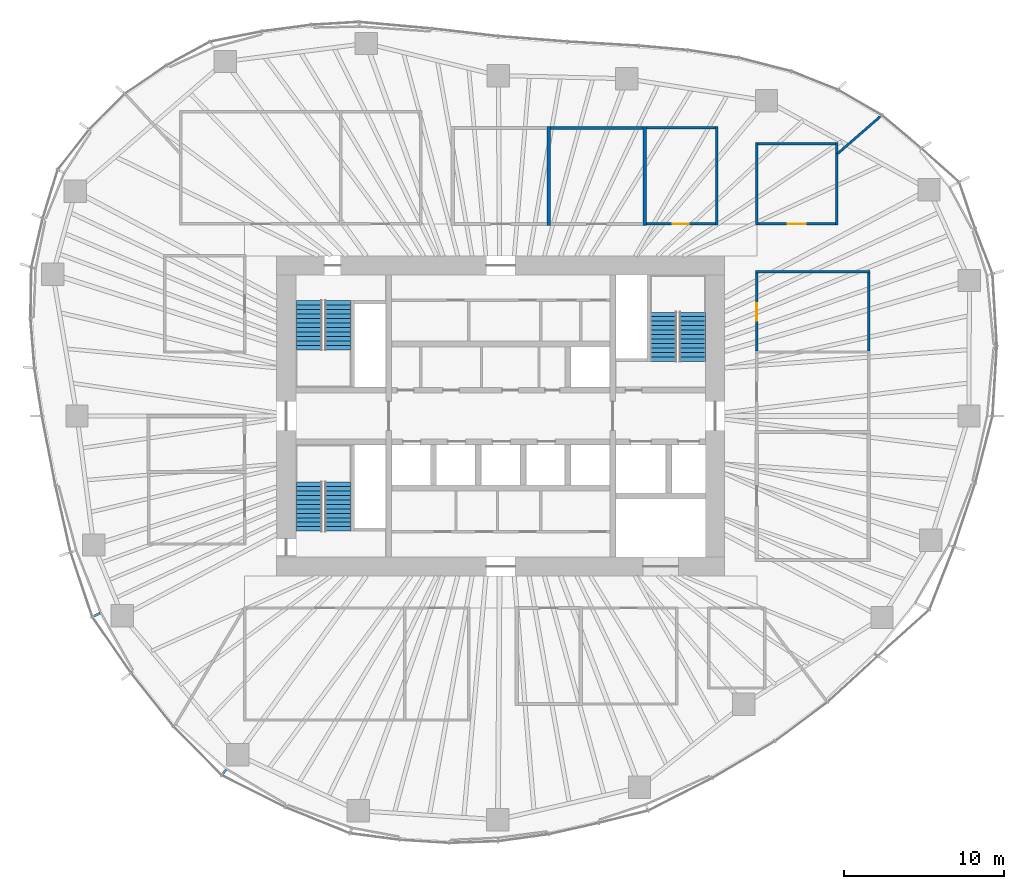
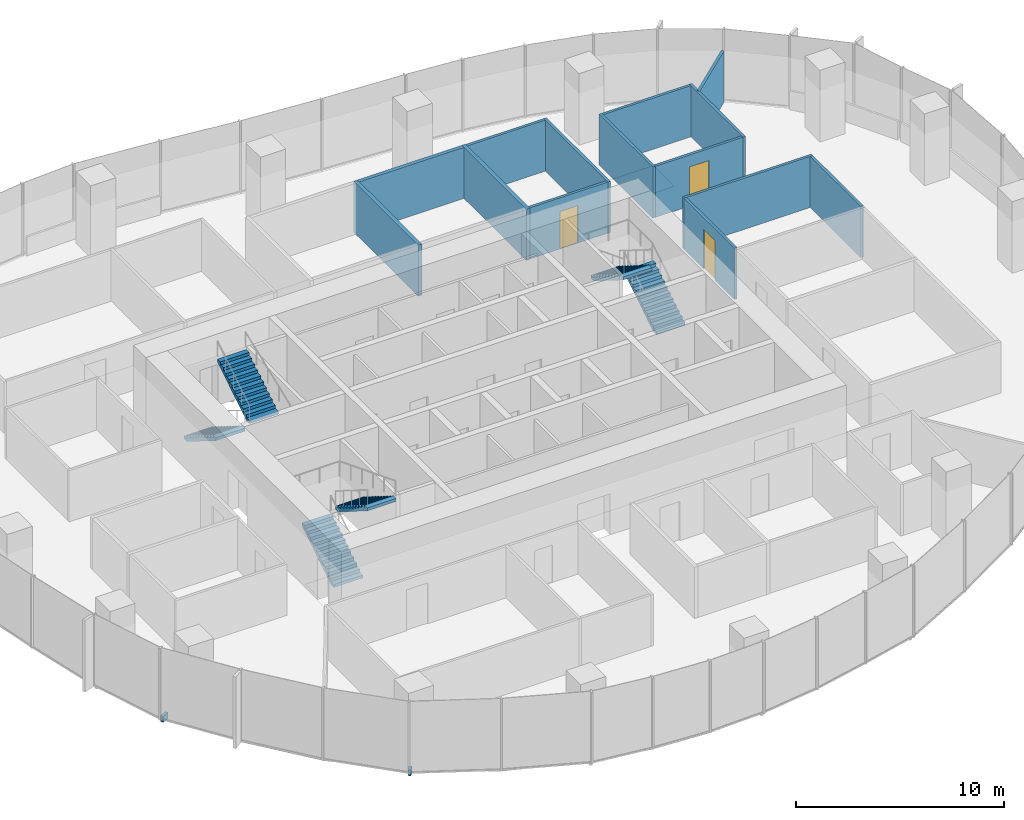
# One storey, part 11 of 18: 14 walls, 6 stair flights, 3 doors, 2 discrete accessories, 3 openings, 3 elements without a shape of their own.
"""IFC4 building model written with IfcOpenShell, lengths in metres."""

import ifcopenshell
import ifcopenshell.guid

model = None  # the IFC model being written
_history = None  # IfcOwnerHistory: only IFC2X3 demands one
_inside = {}  # id of a spatial element -> (the spatial element, [elements in it])
_under = {}  # id of a project, library or spatial element -> (it, [spatial elements below it])
_declared = {}  # id of a project -> (the project, [libraries it declares])
_typed = {}  # id of a type object -> (the type object, [elements of that type])
_made_of = {}  # id of a material, layer set ... -> (it, [elements and type objects made of it])


def new_model(schema):
    """Start an empty IFC model of exactly this schema.

    Asked for "IFC4X3", IfcOpenShell would pick the latest addendum, in which some entities
    have other attributes; the version numbers below select the first issue.
    IFC2X3 requires an IfcOwnerHistory on every rooted entity: one is made here for all.
    """
    global model, _history
    if schema == "IFC4X3":
        model = ifcopenshell.file(schema_version=(4, 3, 0, 0))
    else:
        model = ifcopenshell.file(schema=schema)
    _inside.clear()
    _under.clear()
    _declared.clear()
    _typed.clear()
    _made_of.clear()
    _history = None
    if model.schema == "IFC2X3":
        org = make("IfcOrganization", Name="unknown")
        user = make(
            "IfcPersonAndOrganization",
            ThePerson=make("IfcPerson", FamilyName="unknown"),
            TheOrganization=org,
        )
        app = make(
            "IfcApplication",
            ApplicationDeveloper=org,
            Version="unknown",
            ApplicationFullName="unknown",
            ApplicationIdentifier="unknown",
        )
        _history = make(
            "IfcOwnerHistory",
            OwningUser=user,
            OwningApplication=app,
            ChangeAction="ADDED",
            CreationDate=0,
        )
    return model


def make(cls, **values):
    """One entity of the class cls with the attributes given. An attribute that is None is left unset."""
    return model.create_entity(
        cls, **{name: value for name, value in values.items() if value is not None}
    )


def rooted(cls, **values):
    """An entity with a GlobalId (a new one), such as an element, a storey or a relation."""
    return make(cls, GlobalId=ifcopenshell.guid.new(), OwnerHistory=_history, **values)


def si_unit(unit_type, name, prefix=None):
    """IfcSIUnit, for example si_unit("LENGTHUNIT", "METRE", prefix="MILLI")."""
    return make("IfcSIUnit", UnitType=unit_type, Prefix=prefix, Name=name)


def assignment(units):
    """IfcUnitAssignment: the units of a project."""
    return None if units is None else make("IfcUnitAssignment", Units=units)


def point(xyz):
    """IfcCartesianPoint."""
    return None if xyz is None else make("IfcCartesianPoint", Coordinates=xyz)


def direction(xyz):
    """IfcDirection."""
    return None if xyz is None else make("IfcDirection", DirectionRatios=xyz)


def frame(location, z_axis=None, x_axis=None):
    """IfcAxis2Placement3D, a coordinate frame: its origin and axes. An axis left out is left unset."""
    return make(
        "IfcAxis2Placement3D",
        Location=point(location),
        Axis=direction(z_axis),
        RefDirection=direction(x_axis),
    )


def frame_2d(location, x_axis=None):
    """IfcAxis2Placement2D, a coordinate frame in the plane: its origin and x axis."""
    return make(
        "IfcAxis2Placement2D", Location=point(location), RefDirection=direction(x_axis)
    )


def origin():
    """The frame at (0, 0, 0) with its axes left unset."""
    return frame((0.0, 0.0, 0.0))


def origin_2d():
    """The frame at (0, 0) in the plane with its x axis left unset."""
    return frame_2d((0.0, 0.0))


def place(relative_to, where):
    """IfcLocalPlacement: puts the frame where relative to a parent placement (None: the world)."""
    return make(
        "IfcLocalPlacement", PlacementRelTo=relative_to, RelativePlacement=where
    )


def context(
    kind, dimensions, precision=None, world=None, true_north=None, identifier=None
):
    """IfcGeometricRepresentationContext, for example the 3D "Model" context."""
    return make(
        "IfcGeometricRepresentationContext",
        ContextIdentifier=identifier,
        ContextType=kind,
        CoordinateSpaceDimension=dimensions,
        Precision=precision,
        WorldCoordinateSystem=world,
        TrueNorth=true_north,
    )


def subcontext(parent, identifier, kind, view, scale=None):
    """IfcGeometricRepresentationSubContext, for example "Body" below "Model"."""
    return make(
        "IfcGeometricRepresentationSubContext",
        ContextIdentifier=identifier,
        ContextType=kind,
        ParentContext=parent,
        TargetScale=scale,
        TargetView=view,
    )


def project(units=None, contexts=None):
    """IfcProject with its units and contexts."""
    return rooted(
        "IfcProject",
        Name="project",
        RepresentationContexts=contexts,
        UnitsInContext=assignment(units),
    )


def spatial(cls, under=None, at=None, **own):
    """A site, building, storey or space (cls), placed at a placement, below another one or the project."""
    s = rooted(cls, ObjectPlacement=at, **own)
    if under is not None:
        _under.setdefault(under.id(), (under, []))[1].append(s)
    return s


def polyline(points):
    """IfcPolyline through the points."""
    return make("IfcPolyline", Points=[point(p) for p in points])


def profile(cls, at=None, kind="AREA", **sizes):
    """A parametric profile (cls). Its sizes go by their IFC names, for example OverallWidth=200.0."""
    return make(cls, ProfileType=kind, Position=at, **sizes)


def rectangle(**sizes):
    """IfcRectangleProfileDef."""
    return profile("IfcRectangleProfileDef", **sizes)


def outline(outer, holes=None, kind="AREA"):
    """IfcArbitraryClosedProfileDef: a profile drawn as a closed curve; with holes, ...WithVoids."""
    if holes is None:
        return make("IfcArbitraryClosedProfileDef", ProfileType=kind, OuterCurve=outer)
    return make(
        "IfcArbitraryProfileDefWithVoids",
        ProfileType=kind,
        OuterCurve=outer,
        InnerCurves=holes,
    )


def extrude(swept, where, along, depth):
    """IfcExtrudedAreaSolid: the profile swept, set in the frame where, extruded along a direction by depth."""
    return make(
        "IfcExtrudedAreaSolid",
        SweptArea=swept,
        Position=where,
        ExtrudedDirection=direction(along),
        Depth=depth,
    )


def shape(context_of_items, identifier, shape_type, items):
    """IfcShapeRepresentation: the items that make up one representation, for example the "Body"."""
    return make(
        "IfcShapeRepresentation",
        ContextOfItems=context_of_items,
        RepresentationIdentifier=identifier,
        RepresentationType=shape_type,
        Items=items,
    )


def material(Name=None, Category=None):
    """IfcMaterial."""
    return make("IfcMaterial", Name=Name, Category=Category)


def layer(
    of_material, thickness, ventilated=None, Name=None, Category=None, Priority=None
):
    """IfcMaterialLayer: one layer of a wall or slab, of a material (None: an air gap)."""
    return make(
        "IfcMaterialLayer",
        Material=of_material,
        LayerThickness=thickness,
        IsVentilated=ventilated,
        Name=Name,
        Category=Category,
        Priority=Priority,
    )


def layer_set(layers, Name=None):
    """IfcMaterialLayerSet."""
    return make("IfcMaterialLayerSet", MaterialLayers=layers, LayerSetName=Name)


def made_of(thing, what):
    """Note that an element or type object is made of a material, layer set ...; save() writes the relation."""
    if what is not None:
        _made_of.setdefault(what.id(), (what, []))[1].append(thing)
    return thing


def type_object(cls, material=None, **own):
    """A type object (cls), such as IfcWallType, which elements share."""
    return made_of(rooted(cls, **own), material)


def element(
    cls,
    number,
    at=None,
    inside=None,
    cuts=None,
    type_object=None,
    material=None,
    context=None,
    identifier="Body",
    shape_type=None,
    held_by="IfcProductDefinitionShape",
    body=None,
    shapes=None,
    **own,
):
    """One element of the class cls, such as IfcWall. Its Tag is "e" and its number.

    at: its placement. inside: the storey or other place that contains it. cuts: it is an
    opening in that element (IfcRelVoidsElement). A single representation is given by context,
    identifier, shape_type and body (its items); several are given by shapes. held_by: the class
    of the entity that holds the representations. save() writes the other relations.
    """
    e = rooted(cls, Tag="e%d" % number, ObjectPlacement=at, **own)
    if body is not None:
        shapes = [shape(context, identifier, shape_type, body)]
    if shapes is not None:
        e.Representation = make(held_by, Representations=shapes)
    if inside is not None:
        _inside.setdefault(inside.id(), (inside, []))[1].append(e)
    if cuts is not None:
        rooted(
            "IfcRelVoidsElement", RelatingBuildingElement=cuts, RelatedOpeningElement=e
        )
    if type_object is not None:
        _typed.setdefault(type_object.id(), (type_object, []))[1].append(e)
    return made_of(e, material)


def fill(opening, filler):
    """IfcRelFillsElement: the door or window that sits in an opening."""
    return rooted(
        "IfcRelFillsElement",
        RelatingOpeningElement=opening,
        RelatedBuildingElement=filler,
    )


def aggregate(whole, parts):
    """IfcRelAggregates: a whole, such as a stair, and the parts it consists of."""
    return rooted("IfcRelAggregates", RelatingObject=whole, RelatedObjects=parts)


def save(model, path):
    """Write the relations noted so far, then the file.

    IfcRelAggregates (storeys below a building ...), IfcRelContainedInSpatialStructure (elements
    in a storey), IfcRelDefinesByType, IfcRelAssociatesMaterial and IfcRelDeclares: one each for
    every whole, place, type object, material and project.
    """
    for whole, parts in _under.values():
        aggregate(whole, parts)
    for where, things in _inside.values():
        rooted(
            "IfcRelContainedInSpatialStructure",
            RelatedElements=things,
            RelatingStructure=where,
        )
    for kind, things in _typed.values():
        rooted("IfcRelDefinesByType", RelatedObjects=things, RelatingType=kind)
    for what, things in _made_of.values():
        rooted("IfcRelAssociatesMaterial", RelatedObjects=things, RelatingMaterial=what)
    for by, libraries in _declared.values():
        rooted("IfcRelDeclares", RelatingContext=by, RelatedDefinitions=libraries)
    model.write(path)


model = new_model("IFC4")

# Units and contexts
model_context = context("Model", 3, precision=1e-05, world=origin(), true_north=direction((0.0, 1.0)))
body_context = subcontext(model_context, "Body", "Model", "MODEL_VIEW")
ifc_project = project(units=[si_unit("LENGTHUNIT", "METRE"), si_unit("AREAUNIT", "SQUARE_METRE"), si_unit("VOLUMEUNIT", "CUBIC_METRE"), si_unit("PLANEANGLEUNIT", "RADIAN"), si_unit("MASSUNIT", "GRAM", prefix="KILO")], contexts=[model_context])

# Site, building, storey
site_placement = place(None, origin())
site = spatial("IfcSite", under=ifc_project, at=site_placement, CompositionType="ELEMENT")
building_placement = place(site_placement, origin())
building = spatial("IfcBuilding", under=site, at=building_placement, Name="Ghaith Harvest Tower", CompositionType="ELEMENT")
storey_placement = place(building_placement, frame((0.0, 0.0, 155.39990234375)))
storey = spatial("IfcBuildingStorey", under=building, at=storey_placement, Name="L33", CompositionType="ELEMENT", Elevation=155.39990234375)

# Walls
ifc_material_1 = material(Name="Twin-stud gypsum board, acoustic", Category="gypsum")
ifc_layer_1 = layer(ifc_material_1, 0.199951171875)
ifc_layer_set_1 = layer_set([ifc_layer_1], Name="ACOUSTIC PARTITION 200")
wall_type_1 = type_object("IfcWallType", Name="ACOUSTIC PARTITION 200", PredefinedType="PARTITIONING", material=ifc_layer_set_1)
for number, where, z_axis, x_axis, name in (
    (1, (3.0, 11.89990234375, 0.0), (0.0, 0.0, 1.0), (0.0, 1.0, 0.0), "Partition L33 row N4 cross wall 2"),
    (2, (9.0, 11.89990234375, 0.0), (0.0, 0.0, 1.0), (0.0, 1.0, 0.0), "Partition L33 row N4 cross wall 3"),
):
    element("IfcWall", number, at=place(storey_placement, frame(where, z_axis=z_axis, x_axis=x_axis)), inside=storey, type_object=wall_type_1, Name=name, PredefinedType="PARTITIONING", context=body_context, shape_type="SweptSolid", body=[
        extrude(rectangle(XDim=6.2001953125, YDim=0.199951171875, at=frame_2d((3.10009765625, 0.0))), origin(), (0.0, 0.0, 1.0), 3.0),
    ])
wall_1_placement = place(storey_placement, frame((3.10009765625, 18.0, 0.0), z_axis=(0.0, 0.0, 1.0), x_axis=(1.0, 0.0, 0.0)))
element("IfcWall", 3, at=wall_1_placement, inside=storey, type_object=wall_type_1, Name="Partition L33-08", PredefinedType="PARTITIONING", context=body_context, shape_type="SweptSolid", body=[
    extrude(rectangle(XDim=5.7998046875, YDim=0.199951171875, at=frame_2d((2.89990234375, 0.0))), origin(), (0.0, 0.0, 1.0), 3.0),
])
ifc_material_2 = material(Name="Gypsum board on steel studs", Category="steel")
ifc_layer_2 = layer(ifc_material_2, 0.14990234375)
ifc_layer_set_2 = layer_set([ifc_layer_2], Name="PARTITION 150")
wall_type_2 = type_object("IfcWallType", Name="PARTITION 150", PredefinedType="PARTITIONING", material=ifc_layer_set_2)
wall_2_placement = place(storey_placement, frame((13.5, 11.925048828125, 0.0), z_axis=(0.0, 0.0, 1.0), x_axis=(0.0, 1.0, 0.0)))
element("IfcWall", 4, at=wall_2_placement, inside=storey, type_object=wall_type_2, Name="Partition L33 row N4 cross wall 4", PredefinedType="PARTITIONING", context=body_context, shape_type="SweptSolid", body=[
    extrude(rectangle(XDim=6.14990234375, YDim=0.14990234375, at=frame_2d((3.074951171875, 0.0))), origin(), (0.0, 0.0, 1.0), 3.0),
])

# Wall, opening, door
wall_3_placement = place(storey_placement, frame((9.10009765625, 12.0, 0.0), z_axis=(0.0, 0.0, 1.0), x_axis=(1.0, 0.0, 0.0)))
wall_3 = element("IfcWall", 5, at=wall_3_placement, inside=storey, type_object=wall_type_2, Name="Partition L33-09", PredefinedType="PARTITIONING", context=body_context, shape_type="SweptSolid", body=[
    extrude(rectangle(XDim=4.324951171875, YDim=0.14990234375, at=frame_2d((2.16259765625, 0.0))), origin(), (0.0, 0.0, 1.0), 3.0),
])
opening_1_placement = place(wall_3_placement, frame((1.66259765625, 0.0, 0.0)))
opening_1 = element("IfcOpeningElement", 6, at=opening_1_placement, cuts=wall_3, Name="Opening 33-037", PredefinedType="OPENING", context=body_context, shape_type="SweptSolid", body=[
    extrude(rectangle(XDim=1.0, YDim=2.199951171875, at=frame_2d((0.5, 1.10009765625))), frame((0.0, 0.0849609375, 0.0), z_axis=(0.0, -1.0, 0.0), x_axis=(1.0, 0.0, 0.0)), (0.0, 0.0, 1.0), 0.169921875),
])
ifc_material_3 = material(Name="Timber door", Category="wood")
door_type_1 = type_object("IfcDoorType", Name="D1 SINGLE 1000x2200", OperationType="SINGLE_SWING_LEFT", PredefinedType="DOOR", material=ifc_material_3)
door_1_placement = place(opening_1_placement, origin())
door_1 = element("IfcDoor", 7, at=door_1_placement, inside=storey, type_object=door_type_1, Name="Pantry door", OperationType="SINGLE_SWING_LEFT", OverallHeight=2.199951171875, OverallWidth=1.0, PredefinedType="DOOR", context=body_context, shape_type="SweptSolid", body=[
    extrude(rectangle(XDim=1.0, YDim=2.199951171875, at=frame_2d((0.5, 1.10009765625))), frame((0.0, 0.02490234375, 0.0), z_axis=(0.0, -1.0, 0.0), x_axis=(1.0, 0.0, 0.0)), (0.0, 0.0, 1.0), 0.050048828125),
])
fill(opening_1, door_1)

# Walls
wall_4_placement = place(storey_placement, frame((9.10009765625, 18.0, 0.0), z_axis=(0.0, 0.0, 1.0), x_axis=(1.0, 0.0, 0.0)))
element("IfcWall", 8, at=wall_4_placement, inside=storey, type_object=wall_type_2, Name="Partition L33-09", PredefinedType="PARTITIONING", context=body_context, shape_type="SweptSolid", body=[
    extrude(rectangle(XDim=4.324951171875, YDim=0.14990234375, at=frame_2d((2.16259765625, 0.0))), origin(), (0.0, 0.0, 1.0), 3.0),
])
wall_5_placement = place(storey_placement, frame((15.925048828125, 9.0, 0.0), z_axis=(0.0, 0.0, 1.0), x_axis=(1.0, 0.0, 0.0)))
element("IfcWall", 9, at=wall_5_placement, inside=storey, type_object=wall_type_2, Name="Partition L33 row E5 cross wall 4", PredefinedType="PARTITIONING", context=body_context, shape_type="SweptSolid", body=[
    extrude(rectangle(XDim=7.14990234375, YDim=0.14990234375, at=frame_2d((3.574951171875, 0.0))), origin(), (0.0, 0.0, 1.0), 3.0),
])

# Wall, opening, door
wall_6_placement = place(storey_placement, frame((16.0, 4.074951171875, 0.0), z_axis=(0.0, 0.0, 1.0), x_axis=(0.0, 1.0, 0.0)))
wall_6 = element("IfcWall", 10, at=wall_6_placement, inside=storey, type_object=wall_type_2, Name="Partition L33-12", PredefinedType="PARTITIONING", context=body_context, shape_type="SweptSolid", body=[
    extrude(rectangle(XDim=4.85009765625, YDim=0.14990234375, at=frame_2d((2.425048828125, 0.0))), origin(), (0.0, 0.0, 1.0), 3.0),
])
opening_2_placement = place(wall_6_placement, frame((1.875, 0.0, 0.0)))
opening_2 = element("IfcOpeningElement", 11, at=opening_2_placement, cuts=wall_6, Name="Opening 33-040", PredefinedType="OPENING", context=body_context, shape_type="SweptSolid", body=[
    extrude(rectangle(XDim=1.10009765625, YDim=2.300048828125, at=frame_2d((0.550048828125, 1.14990234375))), frame((0.0, 0.0849609375, 0.0), z_axis=(0.0, -1.0, 0.0), x_axis=(1.0, 0.0, 0.0)), (0.0, 0.0, 1.0), 0.169921875),
])
ifc_material_4 = material(Name="Timber-framed glazed door", Category="wood")
door_type_2 = type_object("IfcDoorType", Name="D12 GLAZED OFFICE 1100x2300", OperationType="SINGLE_SWING_LEFT", PredefinedType="DOOR", material=ifc_material_4)
door_2_placement = place(opening_2_placement, origin())
door_2 = element("IfcDoor", 12, at=door_2_placement, inside=storey, type_object=door_type_2, Name="Office door", OperationType="SINGLE_SWING_LEFT", OverallHeight=2.300048828125, OverallWidth=1.10009765625, PredefinedType="DOOR", context=body_context, shape_type="SweptSolid", body=[
    extrude(rectangle(XDim=1.10009765625, YDim=2.300048828125, at=frame_2d((0.550048828125, 1.14990234375))), frame((0.0, 0.02490234375, 0.0), z_axis=(0.0, -1.0, 0.0), x_axis=(1.0, 0.0, 0.0)), (0.0, 0.0, 1.0), 0.050048828125),
])
fill(opening_2, door_2)

# Walls
wall_7_placement = place(storey_placement, frame((23.0, 4.074951171875, 0.0), z_axis=(0.0, 0.0, 1.0), x_axis=(0.0, 1.0, 0.0)))
element("IfcWall", 13, at=wall_7_placement, inside=storey, type_object=wall_type_2, Name="Partition L33-12", PredefinedType="PARTITIONING", context=body_context, shape_type="SweptSolid", body=[
    extrude(rectangle(XDim=4.85009765625, YDim=0.14990234375, at=frame_2d((2.425048828125, 0.0))), origin(), (0.0, 0.0, 1.0), 3.0),
])
for number, where, z_axis, x_axis, name in (
    (14, (16.0, 11.925048828125, 0.0), (0.0, 0.0, 1.0), (0.0, 1.0, 0.0), "Partition L33 row N7 cross wall 1"),
    (15, (21.0, 11.925048828125, 0.0), (0.0, 0.0, 1.0), (0.0, 1.0, 0.0), "Partition L33 row N7 cross wall 2"),
):
    element("IfcWall", number, at=place(storey_placement, frame(where, z_axis=z_axis, x_axis=x_axis)), inside=storey, type_object=wall_type_2, Name=name, PredefinedType="PARTITIONING", context=body_context, shape_type="SweptSolid", body=[
        extrude(rectangle(XDim=5.14990234375, YDim=0.14990234375, at=frame_2d((2.574951171875, 0.0))), origin(), (0.0, 0.0, 1.0), 3.0),
    ])

# Wall, opening, door
wall_8_placement = place(storey_placement, frame((16.074951171875, 12.0, 0.0), z_axis=(0.0, 0.0, 1.0), x_axis=(1.0, 0.0, 0.0)))
wall_8 = element("IfcWall", 16, at=wall_8_placement, inside=storey, type_object=wall_type_2, Name="Partition L33-15", PredefinedType="PARTITIONING", context=body_context, shape_type="SweptSolid", body=[
    extrude(rectangle(XDim=4.85009765625, YDim=0.14990234375, at=frame_2d((2.425048828125, 0.0))), origin(), (0.0, 0.0, 1.0), 3.0),
])
opening_3_placement = place(wall_8_placement, frame((1.875, 0.0, 0.0)))
opening_3 = element("IfcOpeningElement", 17, at=opening_3_placement, cuts=wall_8, Name="Opening 33-043", PredefinedType="OPENING", context=body_context, shape_type="SweptSolid", body=[
    extrude(rectangle(XDim=1.10009765625, YDim=2.300048828125, at=frame_2d((0.550048828125, 1.14990234375))), frame((0.0, 0.0849609375, 0.0), z_axis=(0.0, -1.0, 0.0), x_axis=(1.0, 0.0, 0.0)), (0.0, 0.0, 1.0), 0.169921875),
])
door_3_placement = place(opening_3_placement, origin())
door_3 = element("IfcDoor", 18, at=door_3_placement, inside=storey, type_object=door_type_2, Name="Office door", OperationType="SINGLE_SWING_LEFT", OverallHeight=2.300048828125, OverallWidth=1.10009765625, PredefinedType="DOOR", context=body_context, shape_type="SweptSolid", body=[
    extrude(rectangle(XDim=1.10009765625, YDim=2.300048828125, at=frame_2d((0.550048828125, 1.14990234375))), frame((0.0, 0.02490234375, 0.0), z_axis=(0.0, -1.0, 0.0), x_axis=(1.0, 0.0, 0.0)), (0.0, 0.0, 1.0), 0.050048828125),
])
fill(opening_3, door_3)

# Walls
wall_9_placement = place(storey_placement, frame((16.074951171875, 17.0, 0.0), z_axis=(0.0, 0.0, 1.0), x_axis=(1.0, 0.0, 0.0)))
element("IfcWall", 19, at=wall_9_placement, inside=storey, type_object=wall_type_2, Name="Partition L33-15", PredefinedType="PARTITIONING", context=body_context, shape_type="SweptSolid", body=[
    extrude(rectangle(XDim=4.85009765625, YDim=0.14990234375, at=frame_2d((2.425048828125, 0.0))), origin(), (0.0, 0.0, 1.0), 3.0),
])
wall_10_placement = place(storey_placement, frame((21.02001953125, 16.364013671875, 0.0), z_axis=(0.0, 0.0, 1.0), x_axis=(0.75467183248, 0.656102450278, 0.0)))
element("IfcWall", 20, at=wall_10_placement, inside=storey, type_object=wall_type_2, Name="Partition L33 zone division", PredefinedType="PARTITIONING", context=body_context, shape_type="SweptSolid", body=[
    extrude(rectangle(XDim=3.566650390625, YDim=0.14990234375, at=frame_2d((1.783203125, 0.0))), origin(), (0.0, 0.0, 1.0), 3.0),
])

# Stair, stair flights
ifc_material_5 = material(Name="Concrete C40/50, precast", Category="concrete")
stair_type = type_object("IfcStairType", Name="CORE STAIR 24R", PredefinedType="HALF_TURN_STAIR", material=ifc_material_5)
stair_1_placement = place(storey_placement, origin())
stair_1 = element("IfcStair", 21, at=stair_1_placement, inside=storey, type_object=stair_type, Name="Stair ST1 L33", PredefinedType="HALF_TURN_STAIR")
ifc_material_6 = material(Name="Concrete C40/50, precast", Category="concrete")
stair_flight_type = type_object("IfcStairFlightType", Name="CORE FLIGHT 12R 1600", PredefinedType="STRAIGHT", material=ifc_material_6)
stair_flight_1_placement = place(storey_placement, frame((-12.0, 7.199951171875, 0.0), z_axis=(0.0, 0.0, 1.0), x_axis=(0.0, -1.0, 0.0)))
stair_flight_1 = element("IfcStairFlight", 22, at=stair_flight_1_placement, type_object=stair_flight_type, Name="ST1 flight 1", NumberOfRisers=12, NumberOfTreads=11, PredefinedType="STRAIGHT", RiserHeight=0.175, TreadLength=0.28, context=body_context, shape_type="SweptSolid", body=[
    extrude(outline(polyline([(0.0, 0.0), (0.0, 0.175048828125), (0.280029296875, 0.175048828125), (0.280029296875, 0.35009765625), (0.56005859375, 0.35009765625), (0.56005859375, 0.52490234375), (0.840087890625, 0.52490234375), (0.840087890625, 0.699951171875), (1.1201171875, 0.699951171875), (1.1201171875, 0.875), (1.39990234375, 0.875), (1.39990234375, 1.050048828125), (1.679931640625, 1.050048828125), (1.679931640625, 1.22509765625), (1.9599609375, 1.22509765625), (1.9599609375, 1.39990234375), (2.239990234375, 1.39990234375), (2.239990234375, 1.574951171875), (2.52001953125, 1.574951171875), (2.52001953125, 1.75), (2.800048828125, 1.75), (2.800048828125, 1.925048828125), (3.080078125, 1.925048828125), (3.080078125, 2.10009765625), (3.080078125, 1.748291015625), (0.28271484375, 0.0), (0.0, 0.0)])), frame((0.0, 0.800048828125, 0.0), z_axis=(0.0, -1.0, 0.0), x_axis=(1.0, 0.0, 0.0)), (0.0, 0.0, 1.0), 1.60009765625),
])
stair_flight_2_placement = place(storey_placement, frame((-10.14990234375, 4.1201171875, 2.10009765625), z_axis=(0.0, 0.0, 1.0), x_axis=(0.0, 1.0, 0.0)))
stair_flight_2 = element("IfcStairFlight", 23, at=stair_flight_2_placement, type_object=stair_flight_type, Name="ST1 flight 2", NumberOfRisers=12, NumberOfTreads=11, PredefinedType="STRAIGHT", RiserHeight=0.175, TreadLength=0.28, context=body_context, shape_type="SweptSolid", body=[
    extrude(outline(polyline([(0.0, 0.0), (0.0, 0.175048828125), (0.280029296875, 0.175048828125), (0.280029296875, 0.35009765625), (0.56005859375, 0.35009765625), (0.56005859375, 0.52490234375), (0.840087890625, 0.52490234375), (0.840087890625, 0.699951171875), (1.1201171875, 0.699951171875), (1.1201171875, 0.875), (1.39990234375, 0.875), (1.39990234375, 1.050048828125), (1.679931640625, 1.050048828125), (1.679931640625, 1.22509765625), (1.9599609375, 1.22509765625), (1.9599609375, 1.39990234375), (2.239990234375, 1.39990234375), (2.239990234375, 1.574951171875), (2.52001953125, 1.574951171875), (2.52001953125, 1.75), (2.800048828125, 1.75), (2.800048828125, 1.925048828125), (3.080078125, 1.925048828125), (3.080078125, 2.10009765625), (3.080078125, 1.748291015625), (0.28271484375, 0.0), (0.0, 0.0)])), frame((0.0, 0.800048828125, 0.0), z_axis=(0.0, -1.0, 0.0), x_axis=(1.0, 0.0, 0.0)), (0.0, 0.0, 1.0), 1.60009765625),
])
aggregate(stair_1, [stair_flight_1, stair_flight_2])

stair_2_placement = place(storey_placement, origin())
stair_2 = element("IfcStair", 24, at=stair_2_placement, inside=storey, type_object=stair_type, Name="Stair ST3 L33", PredefinedType="HALF_TURN_STAIR")
stair_flight_3_placement = place(storey_placement, frame((-12.0, -7.199951171875, 0.0), z_axis=(0.0, 0.0, 1.0), x_axis=(0.0, 1.0, 0.0)))
stair_flight_3 = element("IfcStairFlight", 25, at=stair_flight_3_placement, type_object=stair_flight_type, Name="ST3 flight 1", NumberOfRisers=12, NumberOfTreads=11, PredefinedType="STRAIGHT", RiserHeight=0.175, TreadLength=0.28, context=body_context, shape_type="SweptSolid", body=[
    extrude(outline(polyline([(0.0, 0.0), (0.0, 0.175048828125), (0.280029296875, 0.175048828125), (0.280029296875, 0.35009765625), (0.56005859375, 0.35009765625), (0.56005859375, 0.52490234375), (0.840087890625, 0.52490234375), (0.840087890625, 0.699951171875), (1.1201171875, 0.699951171875), (1.1201171875, 0.875), (1.39990234375, 0.875), (1.39990234375, 1.050048828125), (1.679931640625, 1.050048828125), (1.679931640625, 1.22509765625), (1.9599609375, 1.22509765625), (1.9599609375, 1.39990234375), (2.239990234375, 1.39990234375), (2.239990234375, 1.574951171875), (2.52001953125, 1.574951171875), (2.52001953125, 1.75), (2.800048828125, 1.75), (2.800048828125, 1.925048828125), (3.080078125, 1.925048828125), (3.080078125, 2.10009765625), (3.080078125, 1.748291015625), (0.28271484375, 0.0), (0.0, 0.0)])), frame((0.0, 0.800048828125, 0.0), z_axis=(0.0, -1.0, 0.0), x_axis=(1.0, 0.0, 0.0)), (0.0, 0.0, 1.0), 1.60009765625),
])
stair_flight_4_placement = place(storey_placement, frame((-10.14990234375, -4.1201171875, 2.10009765625), z_axis=(0.0, 0.0, 1.0), x_axis=(0.0, -1.0, 0.0)))
stair_flight_4 = element("IfcStairFlight", 26, at=stair_flight_4_placement, type_object=stair_flight_type, Name="ST3 flight 2", NumberOfRisers=12, NumberOfTreads=11, PredefinedType="STRAIGHT", RiserHeight=0.175, TreadLength=0.28, context=body_context, shape_type="SweptSolid", body=[
    extrude(outline(polyline([(0.0, 0.0), (0.0, 0.175048828125), (0.280029296875, 0.175048828125), (0.280029296875, 0.35009765625), (0.56005859375, 0.35009765625), (0.56005859375, 0.52490234375), (0.840087890625, 0.52490234375), (0.840087890625, 0.699951171875), (1.1201171875, 0.699951171875), (1.1201171875, 0.875), (1.39990234375, 0.875), (1.39990234375, 1.050048828125), (1.679931640625, 1.050048828125), (1.679931640625, 1.22509765625), (1.9599609375, 1.22509765625), (1.9599609375, 1.39990234375), (2.239990234375, 1.39990234375), (2.239990234375, 1.574951171875), (2.52001953125, 1.574951171875), (2.52001953125, 1.75), (2.800048828125, 1.75), (2.800048828125, 1.925048828125), (3.080078125, 1.925048828125), (3.080078125, 2.10009765625), (3.080078125, 1.748291015625), (0.28271484375, 0.0), (0.0, 0.0)])), frame((0.0, 0.800048828125, 0.0), z_axis=(0.0, -1.0, 0.0), x_axis=(1.0, 0.0, 0.0)), (0.0, 0.0, 1.0), 1.60009765625),
])
aggregate(stair_2, [stair_flight_3, stair_flight_4])

stair_3_placement = place(storey_placement, origin())
stair_3 = element("IfcStair", 27, at=stair_3_placement, inside=storey, type_object=stair_type, Name="Stair ST2 L33", PredefinedType="HALF_TURN_STAIR")
stair_flight_5_placement = place(storey_placement, frame((12.0, 3.39990234375, 0.0), z_axis=(0.0, 0.0, 1.0), x_axis=(0.0, 1.0, 0.0)))
stair_flight_5 = element("IfcStairFlight", 28, at=stair_flight_5_placement, type_object=stair_flight_type, Name="ST2 flight 1", NumberOfRisers=12, NumberOfTreads=11, PredefinedType="STRAIGHT", RiserHeight=0.175, TreadLength=0.28, context=body_context, shape_type="SweptSolid", body=[
    extrude(outline(polyline([(0.0, 0.0), (0.0, 0.175048828125), (0.280029296875, 0.175048828125), (0.280029296875, 0.35009765625), (0.56005859375, 0.35009765625), (0.56005859375, 0.52490234375), (0.840087890625, 0.52490234375), (0.840087890625, 0.699951171875), (1.1201171875, 0.699951171875), (1.1201171875, 0.875), (1.39990234375, 0.875), (1.39990234375, 1.050048828125), (1.679931640625, 1.050048828125), (1.679931640625, 1.22509765625), (1.9599609375, 1.22509765625), (1.9599609375, 1.39990234375), (2.239990234375, 1.39990234375), (2.239990234375, 1.574951171875), (2.52001953125, 1.574951171875), (2.52001953125, 1.75), (2.800048828125, 1.75), (2.800048828125, 1.925048828125), (3.080078125, 1.925048828125), (3.080078125, 2.10009765625), (3.080078125, 1.748291015625), (0.28271484375, 0.0), (0.0, 0.0)])), frame((0.0, 0.800048828125, 0.0), z_axis=(0.0, -1.0, 0.0), x_axis=(1.0, 0.0, 0.0)), (0.0, 0.0, 1.0), 1.60009765625),
])
stair_flight_6_placement = place(storey_placement, frame((10.14990234375, 6.47998046875, 2.10009765625), z_axis=(0.0, 0.0, 1.0), x_axis=(0.0, -1.0, 0.0)))
stair_flight_6 = element("IfcStairFlight", 29, at=stair_flight_6_placement, type_object=stair_flight_type, Name="ST2 flight 2", NumberOfRisers=12, NumberOfTreads=11, PredefinedType="STRAIGHT", RiserHeight=0.175, TreadLength=0.28, context=body_context, shape_type="SweptSolid", body=[
    extrude(outline(polyline([(0.0, 0.0), (0.0, 0.175048828125), (0.280029296875, 0.175048828125), (0.280029296875, 0.35009765625), (0.56005859375, 0.35009765625), (0.56005859375, 0.52490234375), (0.840087890625, 0.52490234375), (0.840087890625, 0.699951171875), (1.1201171875, 0.699951171875), (1.1201171875, 0.875), (1.39990234375, 0.875), (1.39990234375, 1.050048828125), (1.679931640625, 1.050048828125), (1.679931640625, 1.22509765625), (1.9599609375, 1.22509765625), (1.9599609375, 1.39990234375), (2.239990234375, 1.39990234375), (2.239990234375, 1.574951171875), (2.52001953125, 1.574951171875), (2.52001953125, 1.75), (2.800048828125, 1.75), (2.800048828125, 1.925048828125), (3.080078125, 1.925048828125), (3.080078125, 2.10009765625), (3.080078125, 1.748291015625), (0.28271484375, 0.0), (0.0, 0.0)])), frame((0.0, 0.800048828125, 0.0), z_axis=(0.0, -1.0, 0.0), x_axis=(1.0, 0.0, 0.0)), (0.0, 0.0, 1.0), 1.60009765625),
])
aggregate(stair_3, [stair_flight_5, stair_flight_6])

# Discrete accessories
ifc_material_7 = material(Name="Stainless steel grade 1.4401", Category="steel")
discrete_accessory_type_1 = type_object("IfcDiscreteAccessoryType", Name="CURTAIN WALL BRACKET 315", PredefinedType="BRACKET", material=ifc_material_7)
discrete_accessory_1_placement = place(storey_placement, frame((-17.266357421875, -22.232421875, -0.25), z_axis=(0.0, 0.0, 1.0), x_axis=(-0.613377713774, -0.789789706343, 0.0)))
element("IfcDiscreteAccessory", 30, at=discrete_accessory_1_placement, inside=storey, type_object=discrete_accessory_type_1, Name="CW-L bracket 1 bay 14 L33", PredefinedType="BRACKET", context=body_context, shape_type="SweptSolid", body=[
    extrude(rectangle(XDim=0.31494140625, YDim=0.14990234375, at=origin_2d()), origin(), (0.0, 0.0, 1.0), 0.35009765625),
])
ifc_material_8 = material(Name="Stainless steel grade 1.4401", Category="steel")
discrete_accessory_type_2 = type_object("IfcDiscreteAccessoryType", Name="CURTAIN WALL BRACKET 415", PredefinedType="BRACKET", material=ifc_material_8)
discrete_accessory_2_placement = place(storey_placement, frame((-25.228515625, -12.41796875, -0.25), z_axis=(0.0, 0.0, 1.0), x_axis=(-0.897201221415, -0.441621974421, 0.0)))
element("IfcDiscreteAccessory", 31, at=discrete_accessory_2_placement, inside=storey, type_object=discrete_accessory_type_2, Name="CW-L bracket 2 bay 12 L33", PredefinedType="BRACKET", context=body_context, shape_type="SweptSolid", body=[
    extrude(rectangle(XDim=0.4150390625, YDim=0.14990234375, at=origin_2d()), origin(), (0.0, 0.0, 1.0), 0.35009765625),
])

save(model, "model.ifc")
